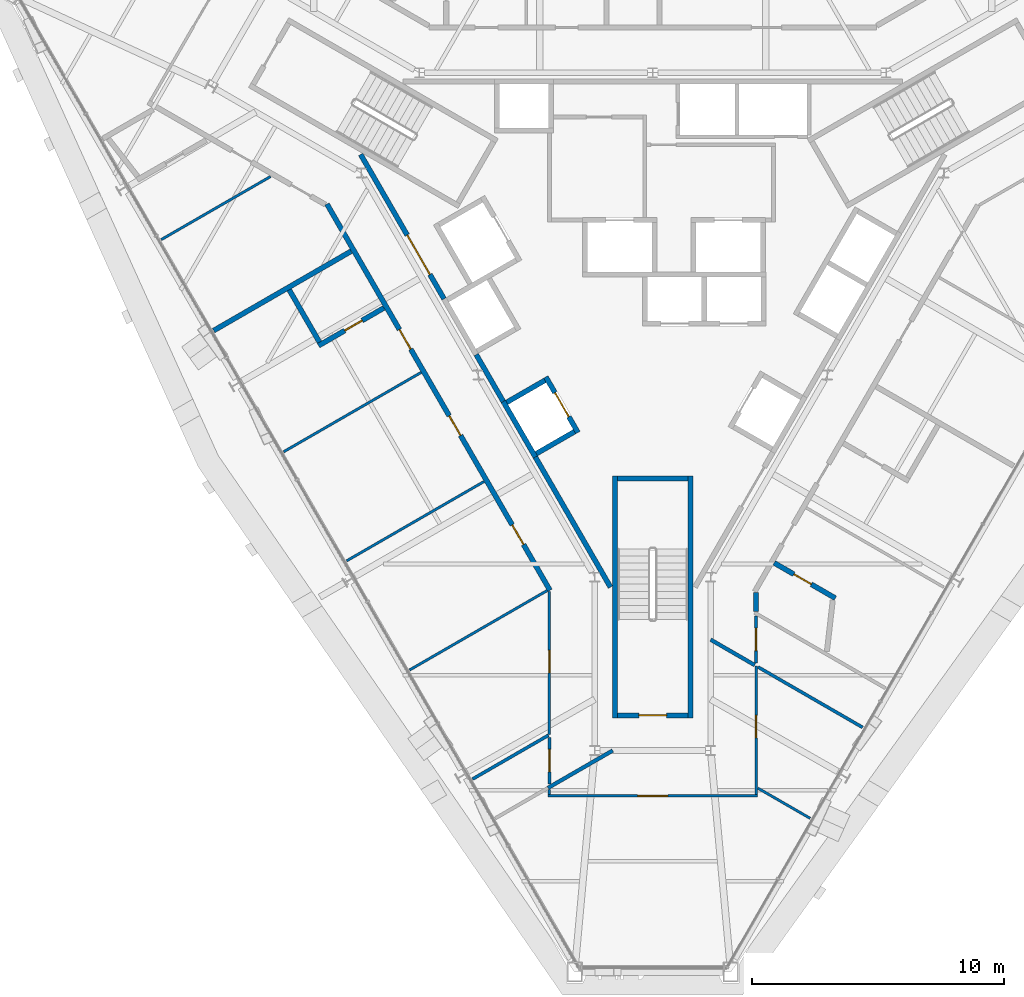
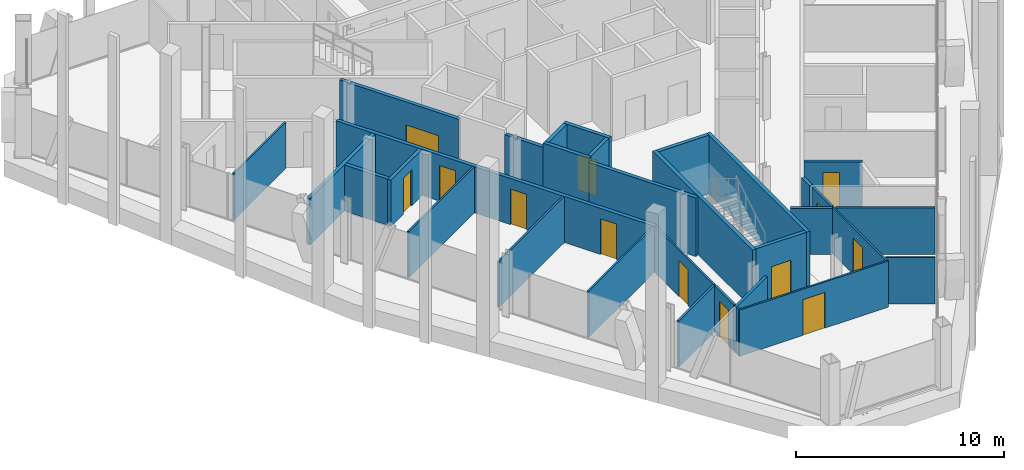
# One storey, part 11 of 16: 32 walls, 13 doors, 13 openings.
"""IFC4 building model written with IfcOpenShell, lengths in metres."""

from ifc_helpers import new_model, si_unit, direction, frame, frame_2d, origin, place, context, subcontext, project, spatial, rectangle, extrude, material, layer, layer_set, type_object, element, fill, save


model = new_model("IFC4")

# Units and contexts
model_context = context("Model", 3, precision=1e-05, world=origin(), true_north=direction((0.0, 1.0)))
body_context = subcontext(model_context, "Body", "Model", "MODEL_VIEW")
ifc_project = project(units=[si_unit("LENGTHUNIT", "METRE"), si_unit("AREAUNIT", "SQUARE_METRE"), si_unit("VOLUMEUNIT", "CUBIC_METRE"), si_unit("PLANEANGLEUNIT", "RADIAN"), si_unit("MASSUNIT", "GRAM", prefix="KILO")], contexts=[model_context])

# Site, building, storey
site_placement = place(None, origin())
site = spatial("IfcSite", under=ifc_project, at=site_placement, CompositionType="ELEMENT")
building_placement = place(site_placement, origin())
building = spatial("IfcBuilding", under=site, at=building_placement, Name="Verrane Prism Tower", CompositionType="ELEMENT")
storey_placement = place(building_placement, frame((0.0, 0.0, 236.0)))
storey = spatial("IfcBuildingStorey", under=building, at=storey_placement, Name="L59", CompositionType="ELEMENT", Elevation=236.0)

# Wall, opening, door
ifc_material_1 = material(Name="Gypsum board partition", Category="other")
ifc_layer_1 = layer(ifc_material_1, 0.199951171875)
ifc_layer_set_1 = layer_set([ifc_layer_1], Name="CW-200 core boundary wall 2 h")
wall_type_1 = type_object("IfcWallType", Name="CW-200 core boundary wall 2 h", PredefinedType="PARTITIONING", material=ifc_layer_set_1)
wall_1_placement = place(storey_placement, frame((-11.590576171875, 4.7548828125, 0.0), z_axis=(0.0, 0.0, 1.0), x_axis=(0.500043977787, -0.866000011708, 0.0)))
wall_1 = element("IfcWall", 1, at=wall_1_placement, inside=storey, type_object=wall_type_1, Name="Core boundary wall CW3-001", PredefinedType="PARTITIONING", context=body_context, shape_type="SweptSolid", body=[
    extrude(rectangle(XDim=6.61669921875, YDim=0.199951171875, at=frame_2d((3.308349609375, 0.0))), origin(), (0.0, 0.0, 1.0), 3.449951171875),
])
opening_1_placement = place(wall_1_placement, frame((3.695068359375, 0.0, 0.0)))
opening_1 = element("IfcOpeningElement", 2, at=opening_1_placement, cuts=wall_1, Name="Opening D59510", PredefinedType="OPENING", context=body_context, shape_type="SweptSolid", body=[
    extrude(rectangle(XDim=1.800048828125, YDim=2.10009765625, at=frame_2d((0.89990234375, 1.050048828125))), frame((0.0, 0.10986328125, 0.0), z_axis=(0.0, -1.0, 0.0), x_axis=(1.0, 0.0, 0.0)), (0.0, 0.0, 1.0), 0.219970703125),
])
ifc_material_2 = material(Name="Timber veneered door leaf", Category="wood")
door_type_1 = type_object("IfcDoorType", Name="DR-1800x2100 FD60 double leaf lift lobby", OperationType="NOTDEFINED", PredefinedType="DOOR", material=ifc_material_2)
door_1_placement = place(opening_1_placement, origin())
door_1 = element("IfcDoor", 3, at=door_1_placement, inside=storey, type_object=door_type_1, Name="Lift lobby door D59510", OperationType="DOUBLE_DOOR_SINGLE_SWING", OverallHeight=2.10009765625, OverallWidth=1.800048828125, PredefinedType="DOOR", context=body_context, shape_type="SweptSolid", body=[
    extrude(rectangle(XDim=1.800048828125, YDim=2.10009765625, at=frame_2d((0.89990234375, 1.050048828125))), frame((0.0, 0.02490234375, 0.0), z_axis=(0.0, -1.0, 0.0), x_axis=(1.0, 0.0, 0.0)), (0.0, 0.0, 1.0), 0.050048828125),
])
fill(opening_1, door_1)

# Walls
wall_2_placement = place(storey_placement, frame((-7.0048828125, -3.18701171875, 0.0), z_axis=(0.0, 0.0, 1.0), x_axis=(0.499689606989, -0.866204535123, 0.0)))
element("IfcWall", 4, at=wall_2_placement, inside=storey, type_object=wall_type_1, Name="Core boundary wall CW3-003", PredefinedType="PARTITIONING", context=body_context, shape_type="SweptSolid", body=[
    extrude(rectangle(XDim=2.144775390625, YDim=0.199951171875, at=frame_2d((1.072265625, 0.0))), origin(), (0.0, 0.0, 1.0), 3.449951171875),
])
wall_3_placement = place(storey_placement, frame((-4.655029296875, -7.257080078125, 0.0), z_axis=(0.0, 0.0, 1.0), x_axis=(0.499966124405, -0.866044960985, 0.0)))
element("IfcWall", 5, at=wall_3_placement, inside=storey, type_object=wall_type_1, Name="Core boundary wall CW3-004", PredefinedType="PARTITIONING", context=body_context, shape_type="SweptSolid", body=[
    extrude(rectangle(XDim=5.95556640625, YDim=0.199951171875, at=frame_2d((2.977783203125, 0.0))), origin(), (0.0, 0.0, 1.0), 3.449951171875),
])

# Wall, opening, door
ifc_material_3 = material(Name="Concrete C40/50", Category="concrete")
ifc_layer_2 = layer(ifc_material_3, 0.199951171875)
ifc_layer_set_2 = layer_set([ifc_layer_2], Name="CW-200 stair core wall concrete C40/50 3 h")
wall_type_2 = type_object("IfcWallType", Name="CW-200 stair core wall concrete C40/50 3 h", PredefinedType="PARTITIONING", material=ifc_layer_set_2)
wall_4_placement = place(storey_placement, frame((-1.39990234375, -17.5, 0.0), z_axis=(0.0, 0.0, 1.0), x_axis=(1.0, 0.0, 0.0)))
wall_4 = element("IfcWall", 6, at=wall_4_placement, inside=storey, type_object=wall_type_2, Name="Stair 3 enclosure wall", PredefinedType="PARTITIONING", context=body_context, shape_type="SweptSolid", body=[
    extrude(rectangle(XDim=2.7998046875, YDim=0.199951171875, at=frame_2d((1.39990234375, 0.0))), origin(), (0.0, 0.0, 1.0), 3.449951171875),
])
opening_2_placement = place(wall_4_placement, frame((0.85009765625, 0.0, 0.0)))
opening_2 = element("IfcOpeningElement", 7, at=opening_2_placement, cuts=wall_4, Name="Opening D59502", PredefinedType="OPENING", context=body_context, shape_type="SweptSolid", body=[
    extrude(rectangle(XDim=1.10009765625, YDim=2.10009765625, at=frame_2d((0.550048828125, 1.050048828125))), frame((0.0, 0.10986328125, 0.0), z_axis=(0.0, -1.0, 0.0), x_axis=(1.0, 0.0, 0.0)), (0.0, 0.0, 1.0), 0.219970703125),
])
ifc_material_4 = material(Name="Timber veneered door leaf", Category="wood")
door_type_2 = type_object("IfcDoorType", Name="DR-1100x2100 FD90 single leaf stair", OperationType="NOTDEFINED", PredefinedType="DOOR", material=ifc_material_4)
door_2_placement = place(opening_2_placement, origin())
door_2 = element("IfcDoor", 8, at=door_2_placement, inside=storey, type_object=door_type_2, Name="Stair 3 door", OperationType="SINGLE_SWING_LEFT", OverallHeight=2.10009765625, OverallWidth=1.10009765625, PredefinedType="DOOR", context=body_context, shape_type="SweptSolid", body=[
    extrude(rectangle(XDim=1.10009765625, YDim=2.10009765625, at=frame_2d((0.550048828125, 1.050048828125))), frame((0.0, 0.02490234375, 0.0), z_axis=(0.0, -1.0, 0.0), x_axis=(1.0, 0.0, 0.0)), (0.0, 0.0, 1.0), 0.050048828125),
])
fill(opening_2, door_2)

# Walls
for number, where, z_axis, x_axis, name in (
    (9, (1.5, -8.0, 0.0), (0.0, 0.0, 1.0), (0.0, -1.0, 0.0), "Stair 3 enclosure wall"),
    (10, (-1.5, -8.0, 0.0), (0.0, 0.0, 1.0), (0.0, -1.0, 0.0), "Stair 3 enclosure wall"),
):
    element("IfcWall", number, at=place(storey_placement, frame(where, z_axis=z_axis, x_axis=x_axis)), inside=storey, type_object=wall_type_2, Name=name, PredefinedType="PARTITIONING", context=body_context, shape_type="SweptSolid", body=[
        extrude(rectangle(XDim=9.60009765625, YDim=0.199951171875, at=frame_2d((4.800048828125, 0.0))), origin(), (0.0, 0.0, 1.0), 3.449951171875),
    ])
wall_5_placement = place(storey_placement, frame((-1.39990234375, -8.10009765625, 0.0), z_axis=(0.0, 0.0, 1.0), x_axis=(1.0, 0.0, 0.0)))
element("IfcWall", 11, at=wall_5_placement, inside=storey, type_object=wall_type_2, Name="Stair 3 enclosure wall", PredefinedType="PARTITIONING", context=body_context, shape_type="SweptSolid", body=[
    extrude(rectangle(XDim=2.7998046875, YDim=0.199951171875, at=frame_2d((1.39990234375, 0.0))), origin(), (0.0, 0.0, 1.0), 3.449951171875),
])
ifc_material_5 = material(Name="Gypsum board shaft wall assembly", Category="other")
ifc_layer_3 = layer(ifc_material_5, 0.199951171875)
ifc_layer_set_3 = layer_set([ifc_layer_3], Name="HW-200 lift shaft wall 2 h")
wall_type_3 = type_object("IfcWallType", Name="HW-200 lift shaft wall 2 h", PredefinedType="PARTITIONING", material=ifc_layer_set_3)
for number, where, z_axis, x_axis, name in (
    (12, (-4.61962890625, -7.118408203125, 0.0), (0.0, 0.0, 1.0), (0.866036909293, 0.499980071345, 0.0), "Lift shaft wall"),
    (13, (-5.794677734375, -5.083251953125, 0.0), (0.0, 0.0, 1.0), (0.866036909293, 0.499980071345, 0.0), "Lift shaft wall"),
):
    element("IfcWall", number, at=place(storey_placement, frame(where, z_axis=z_axis, x_axis=x_axis)), inside=storey, type_object=wall_type_3, Name=name, PredefinedType="PARTITIONING", context=body_context, shape_type="SweptSolid", body=[
        extrude(rectangle(XDim=1.75, YDim=0.199951171875, at=frame_2d((0.875, 0.0))), origin(), (0.0, 0.0, 1.0), 3.699951171875),
    ])

# Wall, opening, door
wall_6_placement = place(storey_placement, frame((-2.967529296875, -6.280029296875, 0.0), z_axis=(0.0, 0.0, 1.0), x_axis=(-0.499990435942, 0.866030925526, 0.0)))
wall_6 = element("IfcWall", 14, at=wall_6_placement, inside=storey, type_object=wall_type_3, Name="Lift shaft wall", PredefinedType="PARTITIONING", context=body_context, shape_type="SweptSolid", body=[
    extrude(rectangle(XDim=2.5498046875, YDim=0.199951171875, at=frame_2d((1.27490234375, 0.0))), origin(), (0.0, 0.0, 1.0), 3.699951171875),
])
opening_3_placement = place(wall_6_placement, frame((0.72509765625, 0.0, 0.0)))
opening_3 = element("IfcOpeningElement", 15, at=opening_3_placement, cuts=wall_6, Name="Opening D59506", PredefinedType="OPENING", context=body_context, shape_type="SweptSolid", body=[
    extrude(rectangle(XDim=1.10009765625, YDim=2.10009765625, at=frame_2d((0.550048828125, 1.050048828125))), frame((0.0, 0.10986328125, 0.0), z_axis=(0.0, -1.0, 0.0), x_axis=(1.0, 0.0, 0.0)), (0.0, 0.0, 1.0), 0.219970703125),
])
ifc_material_6 = material(Name="Stainless steel sliding landing door", Category="steel")
door_type_3 = type_object("IfcDoorType", Name="LD-1100x2100 lift landing door FD90 sliding", OperationType="NOTDEFINED", PredefinedType="DOOR", material=ifc_material_6)
door_3_placement = place(opening_3_placement, origin())
door_3 = element("IfcDoor", 16, at=door_3_placement, inside=storey, type_object=door_type_3, Name="Bank B lift 4 landing door", OperationType="SLIDING_TO_RIGHT", OverallHeight=2.10009765625, OverallWidth=1.10009765625, PredefinedType="DOOR", context=body_context, shape_type="SweptSolid", body=[
    extrude(rectangle(XDim=1.10009765625, YDim=2.10009765625, at=frame_2d((0.550048828125, 1.050048828125))), frame((0.0, 0.02490234375, 0.0), z_axis=(0.0, -1.0, 0.0), x_axis=(1.0, 0.0, 0.0)), (0.0, 0.0, 1.0), 0.050048828125),
])
fill(opening_3, door_3)

# Walls
wall_7_placement = place(storey_placement, frame((-4.65625, -7.255126953125, 0.0), z_axis=(0.0, 0.0, 1.0), x_axis=(-0.499990435942, 0.866030925526, 0.0)))
element("IfcWall", 17, at=wall_7_placement, inside=storey, type_object=wall_type_3, Name="Lift shaft wall", PredefinedType="PARTITIONING", context=body_context, shape_type="SweptSolid", body=[
    extrude(rectangle(XDim=2.5498046875, YDim=0.199951171875, at=frame_2d((1.27490234375, 0.0))), origin(), (0.0, 0.0, 1.0), 3.699951171875),
])
ifc_material_7 = material(Name="Gypsum board partition", Category="other")
ifc_layer_4 = layer(ifc_material_7, 0.10009765625)
ifc_layer_set_4 = layer_set([ifc_layer_4], Name="PW-100 room partition")
wall_type_4 = type_object("IfcWallType", Name="PW-100 room partition", PredefinedType="PARTITIONING", material=ifc_layer_set_4)
wall_8_placement = place(storey_placement, frame((-19.506591796875, 1.375244140625, 0.0), z_axis=(0.0, 0.0, 1.0), x_axis=(0.86604843891, 0.499960099869, 0.0)))
element("IfcWall", 18, at=wall_8_placement, inside=storey, type_object=wall_type_4, Name="Room partition 006", PredefinedType="PARTITIONING", context=body_context, shape_type="SweptSolid", body=[
    extrude(rectangle(XDim=5.009765625, YDim=0.10009765625, at=frame_2d((2.5048828125, 0.0))), origin(), (0.0, 0.0, 1.0), 2.712890625),
])
wall_9_placement = place(storey_placement, frame((-14.646484375, -7.042724609375, 0.0), z_axis=(0.0, 0.0, 1.0), x_axis=(0.866066838318, 0.499928226415, 0.0)))
element("IfcWall", 19, at=wall_9_placement, inside=storey, type_object=wall_type_4, Name="Room partition 010", PredefinedType="PARTITIONING", context=body_context, shape_type="SweptSolid", body=[
    extrude(rectangle(XDim=6.29931640625, YDim=0.10009765625, at=frame_2d((3.149658203125, 0.0))), origin(), (0.0, 0.0, 1.0), 2.712890625),
])
wall_10_placement = place(storey_placement, frame((-12.14697265625, -11.3720703125, 0.0), z_axis=(0.0, 0.0, 1.0), x_axis=(0.866013897511, 0.50001992892, 0.0)))
element("IfcWall", 20, at=wall_10_placement, inside=storey, type_object=wall_type_4, Name="Room partition 016", PredefinedType="PARTITIONING", context=body_context, shape_type="SweptSolid", body=[
    extrude(rectangle(XDim=6.299072265625, YDim=0.10009765625, at=frame_2d((3.1494140625, 0.0))), origin(), (0.0, 0.0, 1.0), 2.712890625),
])
wall_11_placement = place(storey_placement, frame((-9.64697265625, -15.7021484375, 0.0), z_axis=(0.0, 0.0, 1.0), x_axis=(0.865981749158, 0.500075604409, 0.0)))
element("IfcWall", 21, at=wall_11_placement, inside=storey, type_object=wall_type_4, Name="Room partition 019", PredefinedType="PARTITIONING", context=body_context, shape_type="SweptSolid", body=[
    extrude(rectangle(XDim=6.30322265625, YDim=0.10009765625, at=frame_2d((3.151611328125, 0.0))), origin(), (0.0, 0.0, 1.0), 2.712890625),
])
wall_12_placement = place(storey_placement, frame((-4.10009765625, -20.64990234375, 0.0), z_axis=(0.0, 0.0, 1.0), x_axis=(0.0, 1.0, 0.0)))
element("IfcWall", 22, at=wall_12_placement, inside=storey, type_object=wall_type_4, Name="Room partition 025", PredefinedType="PARTITIONING", context=body_context, shape_type="SweptSolid", body=[
    extrude(rectangle(XDim=0.199951171875, YDim=0.10009765625, at=frame_2d((0.10009765625, 0.0))), origin(), (0.0, 0.0, 1.0), 2.712890625),
])

# Wall, opening, door
wall_13_placement = place(storey_placement, frame((4.14990234375, -20.699951171875, 0.0), z_axis=(0.0, 0.0, 1.0), x_axis=(-1.0, 0.0, 0.0)))
wall_13 = element("IfcWall", 23, at=wall_13_placement, inside=storey, type_object=wall_type_4, Name="Room partition 026", PredefinedType="PARTITIONING", context=body_context, shape_type="SweptSolid", body=[
    extrude(rectangle(XDim=8.2998046875, YDim=0.10009765625, at=frame_2d((4.14990234375, 0.0))), origin(), (0.0, 0.0, 1.0), 2.712890625),
])
opening_4_placement = place(wall_13_placement, frame((3.550048828125, 0.0, 0.0)))
opening_4 = element("IfcOpeningElement", 24, at=opening_4_placement, cuts=wall_13, Name="Opening D59020", PredefinedType="OPENING", context=body_context, shape_type="SweptSolid", body=[
    extrude(rectangle(XDim=1.199951171875, YDim=2.10009765625, at=frame_2d((0.60009765625, 1.050048828125))), frame((0.0, 0.06005859375, 0.0), z_axis=(0.0, -1.0, 0.0), x_axis=(1.0, 0.0, 0.0)), (0.0, 0.0, 1.0), 0.1201171875),
])
ifc_material_8 = material(Name="Timber veneered door leaf", Category="wood")
door_type_4 = type_object("IfcDoorType", Name="DR-1200x2100 single leaf unit", OperationType="NOTDEFINED", PredefinedType="DOOR", material=ifc_material_8)
door_4_placement = place(opening_4_placement, origin())
door_4 = element("IfcDoor", 25, at=door_4_placement, inside=storey, type_object=door_type_4, Name="Living And Dining Room door", OperationType="SINGLE_SWING_LEFT", OverallHeight=2.10009765625, OverallWidth=1.199951171875, PredefinedType="DOOR", context=body_context, shape_type="SweptSolid", body=[
    extrude(rectangle(XDim=1.199951171875, YDim=2.10009765625, at=frame_2d((0.60009765625, 1.050048828125))), frame((0.0, 0.02490234375, 0.0), z_axis=(0.0, -1.0, 0.0), x_axis=(1.0, 0.0, 0.0)), (0.0, 0.0, 1.0), 0.050048828125),
])
fill(opening_4, door_4)

wall_14_placement = place(storey_placement, frame((-4.10009765625, -18.27099609375, 0.0), z_axis=(0.0, 0.0, 1.0), x_axis=(0.0, 1.0, 0.0)))
wall_14 = element("IfcWall", 26, at=wall_14_placement, inside=storey, type_object=wall_type_4, Name="Room partition 029", PredefinedType="PARTITIONING", context=body_context, shape_type="SweptSolid", body=[
    extrude(rectangle(XDim=5.68408203125, YDim=0.10009765625, at=frame_2d((2.842041015625, 0.0))), origin(), (0.0, 0.0, 1.0), 2.712890625),
])
opening_5_placement = place(wall_14_placement, frame((2.449951171875, 0.0, 0.0)))
opening_5 = element("IfcOpeningElement", 27, at=opening_5_placement, cuts=wall_14, Name="Opening D59019", PredefinedType="OPENING", context=body_context, shape_type="SweptSolid", body=[
    extrude(rectangle(XDim=0.89990234375, YDim=2.10009765625, at=frame_2d((0.449951171875, 1.050048828125))), frame((0.0, 0.06005859375, 0.0), z_axis=(0.0, -1.0, 0.0), x_axis=(1.0, 0.0, 0.0)), (0.0, 0.0, 1.0), 0.1201171875),
])
ifc_material_9 = material(Name="Timber veneered door leaf", Category="wood")
door_type_5 = type_object("IfcDoorType", Name="DR-900x2100 single leaf unit", OperationType="NOTDEFINED", PredefinedType="DOOR", material=ifc_material_9)
door_5_placement = place(opening_5_placement, origin())
door_5 = element("IfcDoor", 28, at=door_5_placement, inside=storey, type_object=door_type_5, Name="Study door", OperationType="SINGLE_SWING_LEFT", OverallHeight=2.10009765625, OverallWidth=0.89990234375, PredefinedType="DOOR", context=body_context, shape_type="SweptSolid", body=[
    extrude(rectangle(XDim=0.89990234375, YDim=2.10009765625, at=frame_2d((0.449951171875, 1.050048828125))), frame((0.0, 0.02490234375, 0.0), z_axis=(0.0, -1.0, 0.0), x_axis=(1.0, 0.0, 0.0)), (0.0, 0.0, 1.0), 0.050048828125),
])
fill(opening_5, door_5)

wall_15_placement = place(storey_placement, frame((4.10009765625, -15.5390625, 0.0), z_axis=(0.0, 0.0, 1.0), x_axis=(0.0, -1.0, 0.0)))
wall_15 = element("IfcWall", 29, at=wall_15_placement, inside=storey, type_object=wall_type_4, Name="Room partition 034", PredefinedType="PARTITIONING", context=body_context, shape_type="SweptSolid", body=[
    extrude(rectangle(XDim=5.11083984375, YDim=0.10009765625, at=frame_2d((2.555419921875, 0.0))), origin(), (0.0, 0.0, 1.0), 2.712890625),
])
opening_6_placement = place(wall_15_placement, frame((1.9609375, 0.0, 0.0)))
opening_6 = element("IfcOpeningElement", 30, at=opening_6_placement, cuts=wall_15, Name="Opening D59021", PredefinedType="OPENING", context=body_context, shape_type="SweptSolid", body=[
    extrude(rectangle(XDim=0.89990234375, YDim=2.10009765625, at=frame_2d((0.449951171875, 1.050048828125))), frame((0.0, 0.06005859375, 0.0), z_axis=(0.0, -1.0, 0.0), x_axis=(1.0, 0.0, 0.0)), (0.0, 0.0, 1.0), 0.1201171875),
])
door_6_placement = place(opening_6_placement, origin())
door_6 = element("IfcDoor", 31, at=door_6_placement, inside=storey, type_object=door_type_5, Name="Kitchen door", OperationType="SINGLE_SWING_RIGHT", OverallHeight=2.10009765625, OverallWidth=0.89990234375, PredefinedType="DOOR", context=body_context, shape_type="SweptSolid", body=[
    extrude(rectangle(XDim=0.89990234375, YDim=2.10009765625, at=frame_2d((0.449951171875, 1.050048828125))), frame((0.0, 0.02490234375, 0.0), z_axis=(0.0, -1.0, 0.0), x_axis=(1.0, 0.0, 0.0)), (0.0, 0.0, 1.0), 0.050048828125),
])
fill(opening_6, door_6)

# Walls
wall_16_placement = place(storey_placement, frame((4.175048828125, -20.393310546875, 0.0), z_axis=(0.0, 0.0, 1.0), x_axis=(0.866030989016, -0.499990325971, 0.0)))
element("IfcWall", 32, at=wall_16_placement, inside=storey, type_object=wall_type_4, Name="Room partition 035", PredefinedType="PARTITIONING", context=body_context, shape_type="SweptSolid", body=[
    extrude(rectangle(XDim=2.39306640625, YDim=0.10009765625, at=frame_2d((1.196533203125, 0.0))), origin(), (0.0, 0.0, 1.0), 2.712890625),
])
ifc_material_10 = material(Name="Gypsum board partition", Category="other")
ifc_layer_5 = layer(ifc_material_10, 0.125)
ifc_layer_set_5 = layer_set([ifc_layer_5], Name="PW-125 corridor wall 1 h")
wall_type_5 = type_object("IfcWallType", Name="PW-125 corridor wall 1 h", PredefinedType="PARTITIONING", material=ifc_layer_set_5)
wall_17_placement = place(storey_placement, frame((-7.147705078125, -20.031005859375, 0.0), z_axis=(0.0, 0.0, 1.0), x_axis=(0.865978603381, 0.500081051916, 0.0)))
element("IfcWall", 33, at=wall_17_placement, inside=storey, type_object=wall_type_5, Name="Corridor wall 022", PredefinedType="PARTITIONING", context=body_context, shape_type="SweptSolid", body=[
    extrude(rectangle(XDim=3.47705078125, YDim=0.125, at=frame_2d((1.738525390625, 0.0))), origin(), (0.0, 0.0, 1.0), 2.712890625),
])

# Wall, opening, door
wall_18_placement = place(storey_placement, frame((-4.10009765625, -18.3759765625, 0.0), z_axis=(0.0, 0.0, 1.0), x_axis=(0.0, -1.0, 0.0)))
wall_18 = element("IfcWall", 34, at=wall_18_placement, inside=storey, type_object=wall_type_5, Name="Corridor wall 027", PredefinedType="PARTITIONING", context=body_context, shape_type="SweptSolid", body=[
    extrude(rectangle(XDim=1.85400390625, YDim=0.125, at=frame_2d((0.927001953125, 0.0))), origin(), (0.0, 0.0, 1.0), 2.712890625),
])
opening_7_placement = place(wall_18_placement, frame((0.47412109375, 0.0, 0.0)))
opening_7 = element("IfcOpeningElement", 35, at=opening_7_placement, cuts=wall_18, Name="Opening D59029", PredefinedType="OPENING", context=body_context, shape_type="SweptSolid", body=[
    extrude(rectangle(XDim=0.89990234375, YDim=2.10009765625, at=frame_2d((0.449951171875, 1.050048828125))), frame((0.0, 0.072509765625, 0.0), z_axis=(0.0, -1.0, 0.0), x_axis=(1.0, 0.0, 0.0)), (0.0, 0.0, 1.0), 0.14501953125),
])
ifc_material_11 = material(Name="Timber veneered door leaf", Category="wood")
door_type_6 = type_object("IfcDoorType", Name="DR-900x2100 FD20 single leaf unit", OperationType="NOTDEFINED", PredefinedType="DOOR", material=ifc_material_11)
door_7_placement = place(opening_7_placement, origin())
door_7 = element("IfcDoor", 36, at=door_7_placement, inside=storey, type_object=door_type_6, Name="Entrance Hall door", OperationType="SINGLE_SWING_RIGHT", OverallHeight=2.10009765625, OverallWidth=0.89990234375, PredefinedType="DOOR", context=body_context, shape_type="SweptSolid", body=[
    extrude(rectangle(XDim=0.89990234375, YDim=2.10009765625, at=frame_2d((0.449951171875, 1.050048828125))), frame((0.0, 0.02490234375, 0.0), z_axis=(0.0, -1.0, 0.0), x_axis=(1.0, 0.0, 0.0)), (0.0, 0.0, 1.0), 0.050048828125),
])
fill(opening_7, door_7)

wall_19_placement = place(storey_placement, frame((4.10009765625, -15.4189453125, 0.0), z_axis=(0.0, 0.0, 1.0), x_axis=(0.0, 1.0, 0.0)))
wall_19 = element("IfcWall", 37, at=wall_19_placement, inside=storey, type_object=wall_type_5, Name="Corridor wall 036", PredefinedType="PARTITIONING", context=body_context, shape_type="SweptSolid", body=[
    extrude(rectangle(XDim=1.85302734375, YDim=0.125, at=frame_2d((0.926513671875, 0.0))), origin(), (0.0, 0.0, 1.0), 2.712890625),
])
opening_8_placement = place(wall_19_placement, frame((0.47998046875, 0.0, 0.0)))
opening_8 = element("IfcOpeningElement", 38, at=opening_8_placement, cuts=wall_19, Name="Opening D59030", PredefinedType="OPENING", context=body_context, shape_type="SweptSolid", body=[
    extrude(rectangle(XDim=0.89990234375, YDim=2.10009765625, at=frame_2d((0.449951171875, 1.050048828125))), frame((0.0, 0.072509765625, 0.0), z_axis=(0.0, -1.0, 0.0), x_axis=(1.0, 0.0, 0.0)), (0.0, 0.0, 1.0), 0.14501953125),
])
door_8_placement = place(opening_8_placement, origin())
door_8 = element("IfcDoor", 39, at=door_8_placement, inside=storey, type_object=door_type_6, Name="Entrance Hall door", OperationType="SINGLE_SWING_RIGHT", OverallHeight=2.10009765625, OverallWidth=0.89990234375, PredefinedType="DOOR", context=body_context, shape_type="SweptSolid", body=[
    extrude(rectangle(XDim=0.89990234375, YDim=2.10009765625, at=frame_2d((0.449951171875, 1.050048828125))), frame((0.0, 0.02490234375, 0.0), z_axis=(0.0, -1.0, 0.0), x_axis=(1.0, 0.0, 0.0)), (0.0, 0.0, 1.0), 0.050048828125),
])
fill(opening_8, door_8)

# Walls
wall_20_placement = place(storey_placement, frame((4.18017578125, -15.585205078125, 0.0), z_axis=(0.0, 0.0, 1.0), x_axis=(0.865980282967, -0.500078143405, 0.0)))
element("IfcWall", 40, at=wall_20_placement, inside=storey, type_object=wall_type_5, Name="Corridor wall 037", PredefinedType="PARTITIONING", context=body_context, shape_type="SweptSolid", body=[
    extrude(rectangle(XDim=4.792724609375, YDim=0.125, at=frame_2d((2.396484375, 0.0))), origin(), (0.0, 0.0, 1.0), 2.712890625),
])
ifc_material_12 = material(Name="Gypsum board partition", Category="other")
ifc_layer_6 = layer(ifc_material_12, 0.14990234375)
ifc_layer_set_6 = layer_set([ifc_layer_6], Name="PW-150 demising wall 1 h")
wall_type_6 = type_object("IfcWallType", Name="PW-150 demising wall 1 h", PredefinedType="PARTITIONING", material=ifc_layer_set_6)
wall_21_placement = place(storey_placement, frame((-4.154052734375, -20.38134765625, 0.0), z_axis=(0.0, 0.0, 1.0), x_axis=(0.86594123094, 0.500145763311, 0.0)))
element("IfcWall", 41, at=wall_21_placement, inside=storey, type_object=wall_type_6, Name="Demising wall 028", PredefinedType="PARTITIONING", context=body_context, shape_type="SweptSolid", body=[
    extrude(rectangle(XDim=2.9619140625, YDim=0.14990234375, at=frame_2d((1.48095703125, 0.0))), origin(), (0.0, 0.0, 1.0), 2.712890625),
])
wall_22_placement = place(storey_placement, frame((2.300048828125, -14.5, 0.0), z_axis=(0.0, 0.0, 1.0), x_axis=(0.866058533568, -0.499942613141, 0.0)))
element("IfcWall", 42, at=wall_22_placement, inside=storey, type_object=wall_type_6, Name="Demising wall 033", PredefinedType="PARTITIONING", context=body_context, shape_type="SweptSolid", body=[
    extrude(rectangle(XDim=2.015869140625, YDim=0.14990234375, at=frame_2d((1.0078125, 0.0))), origin(), (0.0, 0.0, 1.0), 2.712890625),
])
ifc_material_13 = material(Name="Gypsum board partition", Category="other")
ifc_layer_7 = layer(ifc_material_13, 0.199951171875)
ifc_layer_set_7 = layer_set([ifc_layer_7], Name="PW-200 plumbing wall")
wall_type_7 = type_object("IfcWallType", Name="PW-200 plumbing wall", PredefinedType="PARTITIONING", material=ifc_layer_set_7)
wall_23_placement = place(storey_placement, frame((-17.42333984375, -2.23291015625, 0.0), z_axis=(0.0, 0.0, 1.0), x_axis=(0.866040369504, 0.499974077718, 0.0)))
element("IfcWall", 43, at=wall_23_placement, inside=storey, type_object=wall_type_7, Name="Plumbing wall 007", PredefinedType="PARTITIONING", context=body_context, shape_type="SweptSolid", body=[
    extrude(rectangle(XDim=6.299072265625, YDim=0.199951171875, at=frame_2d((3.1494140625, 0.0))), origin(), (0.0, 0.0, 1.0), 2.712890625),
])
wall_24_placement = place(storey_placement, frame((-14.425048828125, -0.61767578125, 0.0), z_axis=(0.0, 0.0, 1.0), x_axis=(0.500133489192, -0.865948320045, 0.0)))
element("IfcWall", 44, at=wall_24_placement, inside=storey, type_object=wall_type_7, Name="Plumbing wall 011", PredefinedType="PARTITIONING", context=body_context, shape_type="SweptSolid", body=[
    extrude(rectangle(XDim=2.399169921875, YDim=0.199951171875, at=frame_2d((1.19970703125, 0.0))), origin(), (0.0, 0.0, 1.0), 2.712890625),
])

# Wall, opening, door
wall_25_placement = place(storey_placement, frame((-13.26171875, -2.83203125, 0.0), z_axis=(0.0, 0.0, 1.0), x_axis=(0.86601725921, 0.500014106551, 0.0)))
wall_25 = element("IfcWall", 45, at=wall_25_placement, inside=storey, type_object=wall_type_7, Name="Plumbing wall 012", PredefinedType="PARTITIONING", context=body_context, shape_type="SweptSolid", body=[
    extrude(rectangle(XDim=2.9951171875, YDim=0.199951171875, at=frame_2d((1.49755859375, 0.0))), origin(), (0.0, 0.0, 1.0), 2.712890625),
])
opening_9_placement = place(wall_25_placement, frame((1.199951171875, 0.0, 0.0)))
opening_9 = element("IfcOpeningElement", 46, at=opening_9_placement, cuts=wall_25, Name="Opening D59016", PredefinedType="OPENING", context=body_context, shape_type="SweptSolid", body=[
    extrude(rectangle(XDim=0.800048828125, YDim=2.10009765625, at=frame_2d((0.39990234375, 1.050048828125))), frame((0.0, 0.10986328125, 0.0), z_axis=(0.0, -1.0, 0.0), x_axis=(1.0, 0.0, 0.0)), (0.0, 0.0, 1.0), 0.219970703125),
])
ifc_material_14 = material(Name="Timber veneered door leaf", Category="wood")
door_type_7 = type_object("IfcDoorType", Name="DR-800x2100 single leaf bath", OperationType="NOTDEFINED", PredefinedType="DOOR", material=ifc_material_14)
door_9_placement = place(opening_9_placement, origin())
door_9 = element("IfcDoor", 47, at=door_9_placement, inside=storey, type_object=door_type_7, Name="Master Bathroom door", OperationType="SINGLE_SWING_RIGHT", OverallHeight=2.10009765625, OverallWidth=0.800048828125, PredefinedType="DOOR", context=body_context, shape_type="SweptSolid", body=[
    extrude(rectangle(XDim=0.800048828125, YDim=2.10009765625, at=frame_2d((0.39990234375, 1.050048828125))), frame((0.0, 0.02490234375, 0.0), z_axis=(0.0, -1.0, 0.0), x_axis=(1.0, 0.0, 0.0)), (0.0, 0.0, 1.0), 0.050048828125),
])
fill(opening_9, door_9)

# Wall, openings, doors
wall_26_placement = place(storey_placement, frame((-4.076904296875, -12.543212890625, 0.0), z_axis=(0.0, 0.0, 1.0), x_axis=(-0.499968768298, 0.866043434665, 0.0)))
wall_26 = element("IfcWall", 48, at=wall_26_placement, inside=storey, type_object=wall_type_7, Name="Plumbing wall 013", PredefinedType="PARTITIONING", context=body_context, shape_type="SweptSolid", body=[
    extrude(rectangle(XDim=17.703369140625, YDim=0.199951171875, at=frame_2d((8.8515625, 0.0))), origin(), (0.0, 0.0, 1.0), 2.712890625),
])
opening_10_placement = place(wall_26_placement, frame((11.05224609375, 0.0, 0.0)))
opening_10 = element("IfcOpeningElement", 49, at=opening_10_placement, cuts=wall_26, Name="Opening D59015", PredefinedType="OPENING", context=body_context, shape_type="SweptSolid", body=[
    extrude(rectangle(XDim=0.89990234375, YDim=2.10009765625, at=frame_2d((0.449951171875, 1.050048828125))), frame((0.0, 0.10986328125, 0.0), z_axis=(0.0, -1.0, 0.0), x_axis=(1.0, 0.0, 0.0)), (0.0, 0.0, 1.0), 0.219970703125),
])
opening_11_placement = place(wall_26_placement, frame((7.098388671875, 0.0, 0.0)))
opening_11 = element("IfcOpeningElement", 50, at=opening_11_placement, cuts=wall_26, Name="Opening D59017", PredefinedType="OPENING", context=body_context, shape_type="SweptSolid", body=[
    extrude(rectangle(XDim=0.89990234375, YDim=2.10009765625, at=frame_2d((0.449951171875, 1.050048828125))), frame((0.0, 0.10986328125, 0.0), z_axis=(0.0, -1.0, 0.0), x_axis=(1.0, 0.0, 0.0)), (0.0, 0.0, 1.0), 0.219970703125),
])
opening_12_placement = place(wall_26_placement, frame((2.099365234375, 0.0, 0.0)))
opening_12 = element("IfcOpeningElement", 51, at=opening_12_placement, cuts=wall_26, Name="Opening D59018", PredefinedType="OPENING", context=body_context, shape_type="SweptSolid", body=[
    extrude(rectangle(XDim=0.89990234375, YDim=2.10009765625, at=frame_2d((0.449951171875, 1.050048828125))), frame((0.0, 0.10986328125, 0.0), z_axis=(0.0, -1.0, 0.0), x_axis=(1.0, 0.0, 0.0)), (0.0, 0.0, 1.0), 0.219970703125),
])
ifc_material_15 = material(Name="Timber veneered door leaf", Category="wood")
door_type_8 = type_object("IfcDoorType", Name="DR-900x2100 single leaf inner", OperationType="NOTDEFINED", PredefinedType="DOOR", material=ifc_material_15)
door_10_placement = place(opening_10_placement, origin())
door_10 = element("IfcDoor", 52, at=door_10_placement, inside=storey, type_object=door_type_8, Name="Master Bedroom door", OperationType="SINGLE_SWING_RIGHT", OverallHeight=2.10009765625, OverallWidth=0.89990234375, PredefinedType="DOOR", context=body_context, shape_type="SweptSolid", body=[
    extrude(rectangle(XDim=0.89990234375, YDim=2.10009765625, at=frame_2d((0.449951171875, 1.050048828125))), frame((0.0, 0.02490234375, 0.0), z_axis=(0.0, -1.0, 0.0), x_axis=(1.0, 0.0, 0.0)), (0.0, 0.0, 1.0), 0.050048828125),
])
fill(opening_10, door_10)
door_11_placement = place(opening_11_placement, origin())
door_11 = element("IfcDoor", 53, at=door_11_placement, inside=storey, type_object=door_type_5, Name="Study door", OperationType="SINGLE_SWING_RIGHT", OverallHeight=2.10009765625, OverallWidth=0.89990234375, PredefinedType="DOOR", context=body_context, shape_type="SweptSolid", body=[
    extrude(rectangle(XDim=0.89990234375, YDim=2.10009765625, at=frame_2d((0.449951171875, 1.050048828125))), frame((0.0, 0.02490234375, 0.0), z_axis=(0.0, -1.0, 0.0), x_axis=(1.0, 0.0, 0.0)), (0.0, 0.0, 1.0), 0.050048828125),
])
fill(opening_11, door_11)
door_12_placement = place(opening_12_placement, origin())
door_12 = element("IfcDoor", 54, at=door_12_placement, inside=storey, type_object=door_type_5, Name="Study door", OperationType="SINGLE_SWING_LEFT", OverallHeight=2.10009765625, OverallWidth=0.89990234375, PredefinedType="DOOR", context=body_context, shape_type="SweptSolid", body=[
    extrude(rectangle(XDim=0.89990234375, YDim=2.10009765625, at=frame_2d((0.449951171875, 1.050048828125))), frame((0.0, 0.02490234375, 0.0), z_axis=(0.0, -1.0, 0.0), x_axis=(1.0, 0.0, 0.0)), (0.0, 0.0, 1.0), 0.050048828125),
])
fill(opening_12, door_12)

# Wall
wall_27_placement = place(storey_placement, frame((4.10009765625, -13.37841796875, 0.0), z_axis=(0.0, 0.0, 1.0), x_axis=(0.0, 1.0, 0.0)))
element("IfcWall", 55, at=wall_27_placement, inside=storey, type_object=wall_type_7, Name="Plumbing wall 038", PredefinedType="PARTITIONING", context=body_context, shape_type="SweptSolid", body=[
    extrude(rectangle(XDim=0.741455078125, YDim=0.199951171875, at=frame_2d((0.37060546875, 0.0))), origin(), (0.0, 0.0, 1.0), 2.712890625),
])

# Wall, opening, door
wall_28_placement = place(storey_placement, frame((7.24658203125, -12.85302734375, 0.0), z_axis=(0.0, 0.0, 1.0), x_axis=(-0.866018616679, 0.500011755427, 0.0)))
wall_28 = element("IfcWall", 56, at=wall_28_placement, inside=storey, type_object=wall_type_7, Name="Plumbing wall 041", PredefinedType="PARTITIONING", context=body_context, shape_type="SweptSolid", body=[
    extrude(rectangle(XDim=2.80029296875, YDim=0.199951171875, at=frame_2d((1.400146484375, 0.0))), origin(), (0.0, 0.0, 1.0), 2.712890625),
])
opening_13_placement = place(wall_28_placement, frame((1.10009765625, 0.0, 0.0)))
opening_13 = element("IfcOpeningElement", 57, at=opening_13_placement, cuts=wall_28, Name="Opening D59023", PredefinedType="OPENING", context=body_context, shape_type="SweptSolid", body=[
    extrude(rectangle(XDim=0.800048828125, YDim=2.10009765625, at=frame_2d((0.39990234375, 1.050048828125))), frame((0.0, 0.10986328125, 0.0), z_axis=(0.0, -1.0, 0.0), x_axis=(1.0, 0.0, 0.0)), (0.0, 0.0, 1.0), 0.219970703125),
])
door_13_placement = place(opening_13_placement, origin())
door_13 = element("IfcDoor", 58, at=door_13_placement, inside=storey, type_object=door_type_7, Name="Bathroom door", OperationType="SINGLE_SWING_RIGHT", OverallHeight=2.10009765625, OverallWidth=0.800048828125, PredefinedType="DOOR", context=body_context, shape_type="SweptSolid", body=[
    extrude(rectangle(XDim=0.800048828125, YDim=2.10009765625, at=frame_2d((0.39990234375, 1.050048828125))), frame((0.0, 0.02490234375, 0.0), z_axis=(0.0, -1.0, 0.0), x_axis=(1.0, 0.0, 0.0)), (0.0, 0.0, 1.0), 0.050048828125),
])
fill(opening_13, door_13)

save(model, "model.ifc")
